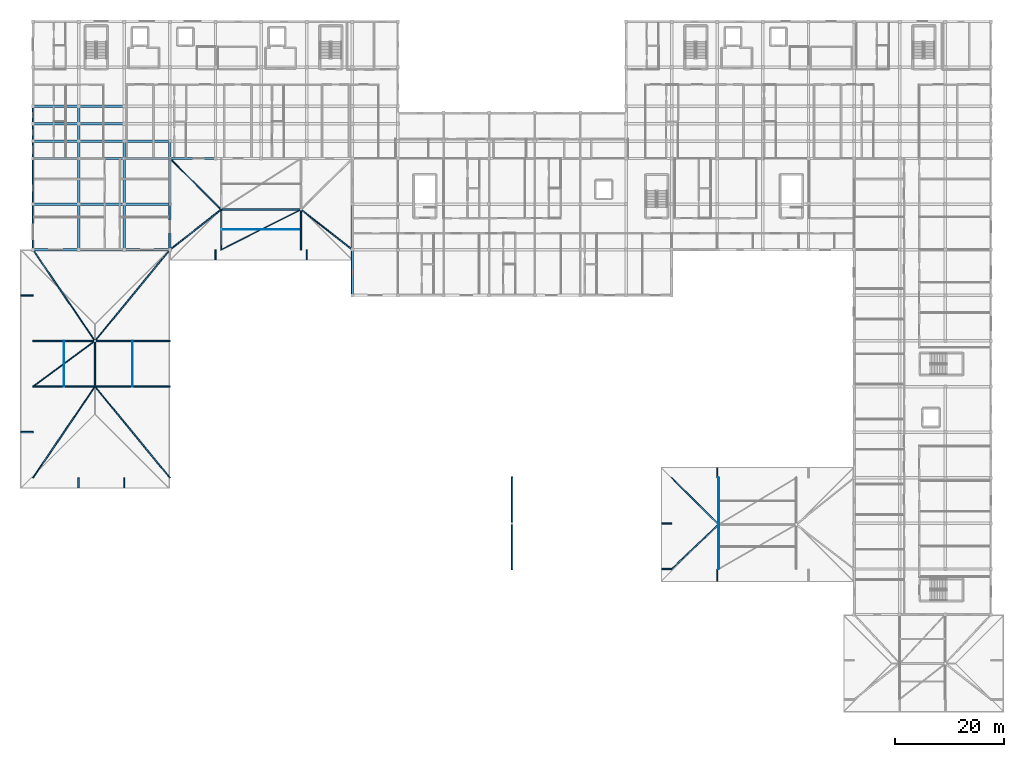
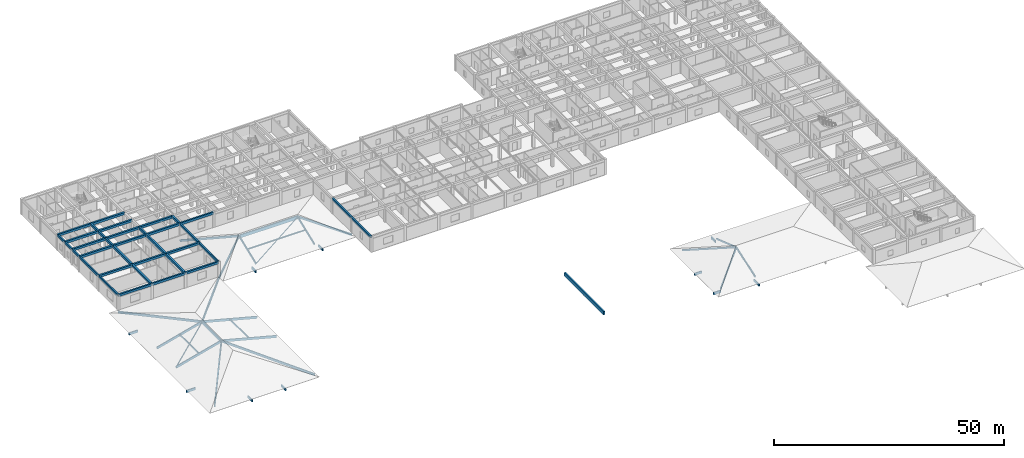
# One storey, part 6 of 42: 48 beams, 22 members.
"""IFC4 building model written with IfcOpenShell, lengths in metres."""

from ifc_helpers import new_model, si_unit, direction, frame, origin, origin_2d, place, context, subcontext, project, spatial, rectangle, hollow_circle, extrude, material, material_profile, profile_set, type_object, element, save


model = new_model("IFC4")

# Units and contexts
model_context = context("Model", 3, precision=1e-05, world=origin(), true_north=direction((0.0, 1.0)))
body_context = subcontext(model_context, "Body", "Model", "MODEL_VIEW")
ifc_project = project(units=[si_unit("LENGTHUNIT", "METRE"), si_unit("AREAUNIT", "SQUARE_METRE"), si_unit("VOLUMEUNIT", "CUBIC_METRE"), si_unit("PLANEANGLEUNIT", "RADIAN"), si_unit("MASSUNIT", "GRAM", prefix="KILO")], contexts=[model_context])

# Site, building, storey
site_placement = place(None, origin())
site = spatial("IfcSite", under=ifc_project, at=site_placement, CompositionType="ELEMENT")
building_placement = place(site_placement, origin())
building = spatial("IfcBuilding", under=site, at=building_placement, Name="Varncliffe General Hospital", CompositionType="ELEMENT")
storey_placement = place(building_placement, frame((0.0, 0.0, 20.39990234375)))
storey = spatial("IfcBuildingStorey", under=building, at=storey_placement, Name="L04", CompositionType="ELEMENT", Elevation=20.39990234375)

# Beams
ifc_material_1 = material(Name="Glulam GL28h (CSA O86 24f-EX, 30 MPa)", Category="wood")
ifc_material_profile_1 = material_profile(ifc_material_1, rectangle(XDim=0.35009765625, YDim=0.949951171875, at=origin_2d()), Name="GL 350x950")
ifc_profile_set_1 = profile_set([ifc_material_profile_1], Name="Glulam GL28h (CSA O86 24f-EX, 30 MPa)")
beam_type_1 = type_object("IfcBeamType", Name="Beam B12 (Int GL 350x950)", PredefinedType="BEAM", material=ifc_profile_set_1)
beam_1_placement = place(storey_placement, frame((88.199951171875, 23.840087890625, 4.039306640625), z_axis=(0.0, 1.0, 0.0), x_axis=(-1.0, 0.0, 0.0)))
element("IfcBeam", 1, at=beam_1_placement, inside=storey, type_object=beam_type_1, Name="L04 RF-V1-MAIN Glulam Ridge Girder", PredefinedType="BEAM", context=body_context, shape_type="SweptSolid", body=[
    extrude(rectangle(XDim=0.35009765625, YDim=0.949951171875, at=origin_2d()), origin(), (0.0, 0.0, 1.0), 17.119873046875),
])
ifc_material_2 = material(Name="Concrete C35/45 (CSA A23.1 35 MPa)", Category="concrete")
ifc_material_profile_2 = material_profile(ifc_material_2, rectangle(XDim=0.449951171875, YDim=0.60009765625, at=origin_2d()), Name="RC 450x600")
ifc_profile_set_2 = profile_set([ifc_material_profile_2], Name="Concrete C35/45 (CSA A23.1 35 MPa)")
beam_type_2 = type_object("IfcBeamType", Name="Beam B47 (Int RC 450x600)", PredefinedType="BEAM", material=ifc_profile_set_2)
beam_2_placement = place(storey_placement, frame((0.0, 91.199951171875, 3.900146484375), z_axis=(1.0, 0.0, 0.0), x_axis=(0.0, 1.0, 0.0)))
element("IfcBeam", 2, at=beam_2_placement, inside=storey, type_object=beam_type_2, Name="L04 Primary Beam B47-49", PredefinedType="BEAM", context=body_context, shape_type="SweptSolid", body=[
    extrude(rectangle(XDim=0.449951171875, YDim=0.60009765625, at=origin_2d()), origin(), (0.0, 0.0, 1.0), 8.39990234375),
])
beam_3_placement = place(storey_placement, frame((8.39990234375, 91.199951171875, 3.900146484375), z_axis=(1.0, 0.0, 0.0), x_axis=(0.0, 1.0, 0.0)))
element("IfcBeam", 3, at=beam_3_placement, inside=storey, type_object=beam_type_2, Name="L04 Primary Beam B47-50", PredefinedType="BEAM", context=body_context, shape_type="SweptSolid", body=[
    extrude(rectangle(XDim=0.449951171875, YDim=0.60009765625, at=origin_2d()), origin(), (0.0, 0.0, 1.0), 8.400146484375),
])
for number, where, z_axis, x_axis, name in (
    (4, (16.800048828125, 91.199951171875, 3.900146484375), (1.0, 0.0, 0.0), (0.0, 1.0, 0.0), "L04 Primary Beam B47-51"),
    (5, (0.0, 99.60009765625, 3.900146484375), (1.0, 0.0, 0.0), (0.0, 1.0, 0.0), "L04 Primary Beam B47-65"),
):
    element("IfcBeam", number, at=place(storey_placement, frame(where, z_axis=z_axis, x_axis=x_axis)), inside=storey, type_object=beam_type_2, Name=name, PredefinedType="BEAM", context=body_context, shape_type="SweptSolid", body=[
        extrude(rectangle(XDim=0.449951171875, YDim=0.60009765625, at=origin_2d()), origin(), (0.0, 0.0, 1.0), 8.39990234375),
    ])
beam_4_placement = place(storey_placement, frame((8.39990234375, 99.60009765625, 3.900146484375), z_axis=(1.0, 0.0, 0.0), x_axis=(0.0, 1.0, 0.0)))
element("IfcBeam", 6, at=beam_4_placement, inside=storey, type_object=beam_type_2, Name="L04 Primary Beam B47-66", PredefinedType="BEAM", context=body_context, shape_type="SweptSolid", body=[
    extrude(rectangle(XDim=0.449951171875, YDim=0.60009765625, at=origin_2d()), origin(), (0.0, 0.0, 1.0), 8.400146484375),
])
for number, where, z_axis, x_axis, name in (
    (7, (16.800048828125, 99.60009765625, 3.900146484375), (1.0, 0.0, 0.0), (0.0, 1.0, 0.0), "L04 Primary Beam B47-67"),
    (8, (0.0, 102.800048828125, 3.900146484375), (1.0, 0.0, 0.0), (0.0, 1.0, 0.0), "L04 Primary Beam B47-86"),
):
    element("IfcBeam", number, at=place(storey_placement, frame(where, z_axis=z_axis, x_axis=x_axis)), inside=storey, type_object=beam_type_2, Name=name, PredefinedType="BEAM", context=body_context, shape_type="SweptSolid", body=[
        extrude(rectangle(XDim=0.449951171875, YDim=0.60009765625, at=origin_2d()), origin(), (0.0, 0.0, 1.0), 8.39990234375),
    ])
beam_5_placement = place(storey_placement, frame((8.39990234375, 102.800048828125, 3.900146484375), z_axis=(1.0, 0.0, 0.0), x_axis=(0.0, 1.0, 0.0)))
element("IfcBeam", 9, at=beam_5_placement, inside=storey, type_object=beam_type_2, Name="L04 Primary Beam B47-87", PredefinedType="BEAM", context=body_context, shape_type="SweptSolid", body=[
    extrude(rectangle(XDim=0.449951171875, YDim=0.60009765625, at=origin_2d()), origin(), (0.0, 0.0, 1.0), 8.400146484375),
])
for number, where, z_axis, x_axis, name in (
    (10, (16.800048828125, 102.800048828125, 3.900146484375), (1.0, 0.0, 0.0), (0.0, 1.0, 0.0), "L04 Primary Beam B47-88"),
    (11, (0.0, 106.0, 3.900146484375), (1.0, 0.0, 0.0), (0.0, 1.0, 0.0), "L04 Primary Beam B47-107"),
):
    element("IfcBeam", number, at=place(storey_placement, frame(where, z_axis=z_axis, x_axis=x_axis)), inside=storey, type_object=beam_type_2, Name=name, PredefinedType="BEAM", context=body_context, shape_type="SweptSolid", body=[
        extrude(rectangle(XDim=0.449951171875, YDim=0.60009765625, at=origin_2d()), origin(), (0.0, 0.0, 1.0), 8.39990234375),
    ])
beam_6_placement = place(storey_placement, frame((8.39990234375, 106.0, 3.900146484375), z_axis=(1.0, 0.0, 0.0), x_axis=(0.0, 1.0, 0.0)))
element("IfcBeam", 12, at=beam_6_placement, inside=storey, type_object=beam_type_2, Name="L04 Primary Beam B47-108", PredefinedType="BEAM", context=body_context, shape_type="SweptSolid", body=[
    extrude(rectangle(XDim=0.449951171875, YDim=0.60009765625, at=origin_2d()), origin(), (0.0, 0.0, 1.0), 8.400146484375),
])
beam_7_placement = place(storey_placement, frame((0.0, 109.199951171875, 3.900146484375), z_axis=(1.0, 0.0, 0.0), x_axis=(0.0, 1.0, 0.0)))
element("IfcBeam", 13, at=beam_7_placement, inside=storey, type_object=beam_type_2, Name="L04 Primary Beam B47-126", PredefinedType="BEAM", context=body_context, shape_type="SweptSolid", body=[
    extrude(rectangle(XDim=0.449951171875, YDim=0.60009765625, at=origin_2d()), origin(), (0.0, 0.0, 1.0), 8.39990234375),
])
beam_8_placement = place(storey_placement, frame((8.39990234375, 109.199951171875, 3.900146484375), z_axis=(1.0, 0.0, 0.0), x_axis=(0.0, 1.0, 0.0)))
element("IfcBeam", 14, at=beam_8_placement, inside=storey, type_object=beam_type_2, Name="L04 Primary Beam B47-127", PredefinedType="BEAM", context=body_context, shape_type="SweptSolid", body=[
    extrude(rectangle(XDim=0.449951171875, YDim=0.60009765625, at=origin_2d()), origin(), (0.0, 0.0, 1.0), 8.400146484375),
])
beam_9_placement = place(storey_placement, frame((8.39990234375, 82.800048828125, 3.900146484375), z_axis=(0.0, 1.0, 0.0), x_axis=(-1.0, 0.0, 0.0)))
element("IfcBeam", 15, at=beam_9_placement, inside=storey, type_object=beam_type_2, Name="L04 Primary Beam B47-181", PredefinedType="BEAM", context=body_context, shape_type="SweptSolid", body=[
    extrude(rectangle(XDim=0.449951171875, YDim=0.60009765625, at=origin_2d()), origin(), (0.0, 0.0, 1.0), 8.39990234375),
])
beam_10_placement = place(storey_placement, frame((8.39990234375, 91.199951171875, 3.900146484375), z_axis=(0.0, 1.0, 0.0), x_axis=(-1.0, 0.0, 0.0)))
element("IfcBeam", 16, at=beam_10_placement, inside=storey, type_object=beam_type_2, Name="L04 Primary Beam B47-182", PredefinedType="BEAM", context=body_context, shape_type="SweptSolid", body=[
    extrude(rectangle(XDim=0.449951171875, YDim=0.60009765625, at=origin_2d()), origin(), (0.0, 0.0, 1.0), 8.400146484375),
])
for number, where, z_axis, x_axis, name in (
    (17, (8.39990234375, 99.60009765625, 3.900146484375), (0.0, 1.0, 0.0), (-1.0, 0.0, 0.0), "L04 Primary Beam B47-183"),
    (18, (8.39990234375, 102.800048828125, 3.900146484375), (0.0, 1.0, 0.0), (-1.0, 0.0, 0.0), "L04 Primary Beam B47-184"),
    (19, (8.39990234375, 106.0, 3.900146484375), (0.0, 1.0, 0.0), (-1.0, 0.0, 0.0), "L04 Primary Beam B47-185"),
):
    element("IfcBeam", number, at=place(storey_placement, frame(where, z_axis=z_axis, x_axis=x_axis)), inside=storey, type_object=beam_type_2, Name=name, PredefinedType="BEAM", context=body_context, shape_type="SweptSolid", body=[
        extrude(rectangle(XDim=0.449951171875, YDim=0.60009765625, at=origin_2d()), origin(), (0.0, 0.0, 1.0), 3.199951171875),
    ])
beam_11_placement = place(storey_placement, frame((16.800048828125, 82.800048828125, 3.900146484375), z_axis=(0.0, 1.0, 0.0), x_axis=(-1.0, 0.0, 0.0)))
element("IfcBeam", 20, at=beam_11_placement, inside=storey, type_object=beam_type_2, Name="L04 Primary Beam B47-188", PredefinedType="BEAM", context=body_context, shape_type="SweptSolid", body=[
    extrude(rectangle(XDim=0.449951171875, YDim=0.60009765625, at=origin_2d()), origin(), (0.0, 0.0, 1.0), 8.39990234375),
])
beam_12_placement = place(storey_placement, frame((16.800048828125, 91.199951171875, 3.900146484375), z_axis=(0.0, 1.0, 0.0), x_axis=(-1.0, 0.0, 0.0)))
element("IfcBeam", 21, at=beam_12_placement, inside=storey, type_object=beam_type_2, Name="L04 Primary Beam B47-189", PredefinedType="BEAM", context=body_context, shape_type="SweptSolid", body=[
    extrude(rectangle(XDim=0.449951171875, YDim=0.60009765625, at=origin_2d()), origin(), (0.0, 0.0, 1.0), 8.400146484375),
])
for number, where, z_axis, x_axis, name in (
    (22, (16.800048828125, 99.60009765625, 3.900146484375), (0.0, 1.0, 0.0), (-1.0, 0.0, 0.0), "L04 Primary Beam B47-190"),
    (23, (25.199951171875, 99.60009765625, 3.900146484375), (0.0, 1.0, 0.0), (-1.0, 0.0, 0.0), "L04 Primary Beam B47-197"),
):
    element("IfcBeam", number, at=place(storey_placement, frame(where, z_axis=z_axis, x_axis=x_axis)), inside=storey, type_object=beam_type_2, Name=name, PredefinedType="BEAM", context=body_context, shape_type="SweptSolid", body=[
        extrude(rectangle(XDim=0.449951171875, YDim=0.60009765625, at=origin_2d()), origin(), (0.0, 0.0, 1.0), 3.199951171875),
    ])
ifc_material_profile_3 = material_profile(ifc_material_1, rectangle(XDim=0.264892578125, YDim=0.68408203125, at=origin_2d()), Name="GL 265x684")
ifc_profile_set_3 = profile_set([ifc_material_profile_3], Name="Glulam GL28h (CSA O86 24f-EX, 30 MPa)")
beam_type_3 = type_object("IfcBeamType", Name="Beam B72 (Int GL 265x684)", PredefinedType="BEAM", material=ifc_profile_set_3)
beam_13_placement = place(storey_placement, frame((11.39990234375, 57.43994140625, 3.02099609375), z_axis=(0.0, 1.0, 0.0), x_axis=(-1.0, 0.0, 0.0)))
element("IfcBeam", 24, at=beam_13_placement, inside=storey, type_object=beam_type_3, Name="L04 RF-V3-W Glulam Ridge Girder", PredefinedType="BEAM", context=body_context, shape_type="SweptSolid", body=[
    extrude(rectangle(XDim=0.264892578125, YDim=0.68408203125, at=origin_2d()), origin(), (0.0, 0.0, 1.0), 8.719970703125),
])
ifc_material_profile_4 = material_profile(ifc_material_1, rectangle(XDim=0.31494140625, YDim=0.8359375, at=origin_2d()), Name="GL 315x836")
ifc_profile_set_4 = profile_set([ifc_material_profile_4], Name="Glulam GL28h (CSA O86 24f-EX, 30 MPa)")
beam_type_4 = type_object("IfcBeamType", Name="Beam B74 (Int GL 315x836)", PredefinedType="BEAM", material=ifc_profile_set_4)
beam_14_placement = place(storey_placement, frame((34.489990234375, 90.199951171875, 2.903076171875), z_axis=(1.0, 0.0, 0.0), x_axis=(0.0, 1.0, 0.0)))
element("IfcBeam", 25, at=beam_14_placement, inside=storey, type_object=beam_type_4, Name="L04 RF-V3-N Glulam Ridge Girder", PredefinedType="BEAM", context=body_context, shape_type="SweptSolid", body=[
    extrude(rectangle(XDim=0.31494140625, YDim=0.8359375, at=origin_2d()), origin(), (0.0, 0.0, 1.0), 15.02001953125),
])
ifc_material_profile_5 = material_profile(ifc_material_1, rectangle(XDim=0.264892578125, YDim=0.60791015625, at=origin_2d()), Name="GL 265x608")
ifc_profile_set_5 = profile_set([ifc_material_profile_5], Name="Glulam GL28h (CSA O86 24f-EX, 30 MPa)")
beam_type_5 = type_object("IfcBeamType", Name="Beam B82 (Ext GL 265x608)", PredefinedType="BEAM", material=ifc_profile_set_5)
for number, where, z_axis, x_axis, name in (
    (26, (-2.260009765625, 49.199951171875, -0.49072265625), (1.0, 0.0, 0.0), (0.0, 1.0, 0.0), "L04 RF-V3-W West Eave Lookout Bracket 1"),
    (27, (-2.260009765625, 74.39990234375, -0.49072265625), (1.0, 0.0, 0.0), (0.0, 1.0, 0.0), "L04 RF-V3-W West Eave Lookout Bracket 2"),
):
    element("IfcBeam", number, at=place(storey_placement, frame(where, z_axis=z_axis, x_axis=x_axis)), inside=storey, type_object=beam_type_5, Name=name, PredefinedType="BEAM", context=body_context, shape_type="SweptSolid", body=[
        extrude(rectangle(XDim=0.264892578125, YDim=0.60791015625, at=origin_2d()), origin(), (0.0, 0.0, 1.0), 2.260009765625),
    ])
for number, where, z_axis, x_axis, name in (
    (28, (8.39990234375, 38.93994140625, -0.49072265625), (0.0, 1.0, 0.0), (-1.0, 0.0, 0.0), "L04 RF-V3-W South Eave Lookout Bracket 1"),
    (29, (16.800048828125, 38.93994140625, -0.49072265625), (0.0, 1.0, 0.0), (-1.0, 0.0, 0.0), "L04 RF-V3-W South Eave Lookout Bracket 2"),
    (30, (33.60009765625, 80.93994140625, -0.51953125), (0.0, 1.0, 0.0), (-1.0, 0.0, 0.0), "L04 RF-V3-N South Eave Lookout Bracket 1"),
    (31, (50.39990234375, 80.93994140625, -0.51953125), (0.0, 1.0, 0.0), (-1.0, 0.0, 0.0), "L04 RF-V3-N South Eave Lookout Bracket 2"),
):
    element("IfcBeam", number, at=place(storey_placement, frame(where, z_axis=z_axis, x_axis=x_axis)), inside=storey, type_object=beam_type_5, Name=name, PredefinedType="BEAM", context=body_context, shape_type="SweptSolid", body=[
        extrude(rectangle(XDim=0.264892578125, YDim=0.60791015625, at=origin_2d()), origin(), (0.0, 0.0, 1.0), 1.860107421875),
    ])
beam_15_placement = place(storey_placement, frame((126.0, 21.739990234375, -0.4951171875), z_axis=(0.0, 1.0, 0.0), x_axis=(-1.0, 0.0, 0.0)))
element("IfcBeam", 32, at=beam_15_placement, inside=storey, type_object=beam_type_5, Name="L04 RF-V5-S South Eave Lookout Bracket 1", PredefinedType="BEAM", context=body_context, shape_type="SweptSolid", body=[
    extrude(rectangle(XDim=0.264892578125, YDim=0.60791015625, at=origin_2d()), origin(), (0.0, 0.0, 1.0), 2.260009765625),
])
beam_16_placement = place(storey_placement, frame((126.0, 40.800048828125, -0.4951171875), z_axis=(0.0, 1.0, 0.0), x_axis=(-1.0, 0.0, 0.0)))
element("IfcBeam", 33, at=beam_16_placement, inside=storey, type_object=beam_type_5, Name="L04 RF-V5-S North Eave Lookout Bracket 1", PredefinedType="BEAM", context=body_context, shape_type="SweptSolid", body=[
    extrude(rectangle(XDim=0.264892578125, YDim=0.60791015625, at=origin_2d()), origin(), (0.0, 0.0, 1.0), 1.85986328125),
])
for number, where, z_axis, x_axis, name in (
    (34, (115.739990234375, 32.39990234375, -0.4951171875), (1.0, 0.0, 0.0), (0.0, 1.0, 0.0), "L04 RF-V5-S West Eave Lookout Bracket 1"),
    (35, (115.739990234375, 24.0, -0.4951171875), (1.0, 0.0, 0.0), (0.0, 1.0, 0.0), "L04 RF-V5-S West Eave Lookout Bracket 2"),
):
    element("IfcBeam", number, at=place(storey_placement, frame(where, z_axis=z_axis, x_axis=x_axis)), inside=storey, type_object=beam_type_5, Name=name, PredefinedType="BEAM", context=body_context, shape_type="SweptSolid", body=[
        extrude(rectangle(XDim=0.264892578125, YDim=0.60791015625, at=origin_2d()), origin(), (0.0, 0.0, 1.0), 1.860107421875),
    ])

# Members
ifc_material_3 = material(Name="Steel S355 (CSA G40.21 350W)", Category="steel")
ifc_material_profile_6 = material_profile(ifc_material_3, hollow_circle(Radius=0.109619140625, WallThickness=0.00830078125, at=origin_2d()), Name="CHS 219x8.2")
ifc_profile_set_6 = profile_set([ifc_material_profile_6], Name="Steel S355 (CSA G40.21 350W)")
member_type_1 = type_object("IfcMemberType", Name="Member MB17 (BRACE Int CHS 219x8.2)", PredefinedType="BRACE", material=ifc_profile_set_6)
member_1_placement = place(storey_placement, frame((34.64990234375, 82.800048828125, 0.19384765625), z_axis=(0.881351314983, 0.443661701275, 0.162431999309), x_axis=(-0.449632943603, 0.89321342132, 0.0)))
element("IfcMember", 36, at=member_1_placement, inside=storey, type_object=member_type_1, Name="L04 RF-V3-N Lateral Wind Brace 1", PredefinedType="BRACE", context=body_context, shape_type="SweptSolid", body=[
    extrude(hollow_circle(Radius=0.109619140625, WallThickness=0.00830078125, at=origin_2d()), origin(), (0.0, 0.0, 1.0), 16.67919921875),
])
ifc_material_profile_7 = material_profile(ifc_material_1, rectangle(XDim=0.215087890625, YDim=0.60791015625, at=origin_2d()), Name="GL 215x608")
ifc_profile_set_7 = profile_set([ifc_material_profile_7], Name="Glulam GL28h (CSA O86 24f-EX, 30 MPa)")
member_type_2 = type_object("IfcMemberType", Name="Member MB20 (RAFTER Int GL 215x608)", PredefinedType="RAFTER", material=ifc_profile_set_7)
member_2_placement = place(storey_placement, frame((0.0, 40.800048828125, -0.031982421875), z_axis=(0.555026087219, 0.817936316902, 0.151414081245), x_axis=(-0.827476774569, 0.561499944389, 0.0)))
element("IfcMember", 37, at=member_2_placement, inside=storey, type_object=member_type_2, Name="L04 RF-V3-W Hip Rafter SW", PredefinedType="RAFTER", context=body_context, shape_type="SweptSolid", body=[
    extrude(rectangle(XDim=0.215087890625, YDim=0.60791015625, at=origin_2d()), origin(), (0.0, 0.0, 1.0), 20.48876953125),
])
member_3_placement = place(storey_placement, frame((25.199951171875, 40.800048828125, -0.559814453125), z_axis=(-0.626045345055, 0.762133471396, 0.164984234741), x_axis=(-0.772722705616, -0.634743743747, 0.0)))
element("IfcMember", 38, at=member_3_placement, inside=storey, type_object=member_type_2, Name="L04 RF-V3-W Hip Rafter SE", PredefinedType="RAFTER", context=body_context, shape_type="SweptSolid", body=[
    extrude(rectangle(XDim=0.215087890625, YDim=0.60791015625, at=origin_2d()), origin(), (0.0, 0.0, 1.0), 21.992431640625),
])
member_4_placement = place(storey_placement, frame((0.0, 82.800048828125, -0.560546875), z_axis=(0.552694028421, -0.814499585498, 0.176407868793), x_axis=(0.827476774569, 0.561499944389, 0.0)))
element("IfcMember", 39, at=member_4_placement, inside=storey, type_object=member_type_2, Name="L04 RF-V3-W Hip Rafter NW", PredefinedType="RAFTER", context=body_context, shape_type="SweptSolid", body=[
    extrude(rectangle(XDim=0.215087890625, YDim=0.60791015625, at=origin_2d()), origin(), (0.0, 0.0, 1.0), 20.5751953125),
])
member_5_placement = place(storey_placement, frame((25.199951171875, 82.800048828125, -0.559814453125), z_axis=(-0.626040048424, -0.762138124383, 0.164982838899), x_axis=(0.772727240321, -0.634738223259, 0.0)))
element("IfcMember", 40, at=member_5_placement, inside=storey, type_object=member_type_2, Name="L04 RF-V3-W Hip Rafter NE", PredefinedType="RAFTER", context=body_context, shape_type="SweptSolid", body=[
    extrude(rectangle(XDim=0.215087890625, YDim=0.60791015625, at=origin_2d()), origin(), (0.0, 0.0, 1.0), 21.99267578125),
])
member_6_placement = place(storey_placement, frame((0.0, 57.60009765625, 0.06640625), z_axis=(0.966979278104, 0.0, 0.254855009205), x_axis=(0.0, 1.0, 0.0)))
element("IfcMember", 41, at=member_6_placement, inside=storey, type_object=member_type_2, Name="L04 RF-V3-W West Sloped Glulam Rafter 1", PredefinedType="RAFTER", context=body_context, shape_type="SweptSolid", body=[
    extrude(rectangle(XDim=0.215087890625, YDim=0.60791015625, at=origin_2d()), origin(), (0.0, 0.0, 1.0), 11.727294921875),
])
member_7_placement = place(storey_placement, frame((25.199951171875, 57.60009765625, -0.56591796875), z_axis=(-0.966982555241, 0.0, 0.254842574661), x_axis=(0.0, -1.0, 0.0)))
element("IfcMember", 42, at=member_7_placement, inside=storey, type_object=member_type_2, Name="L04 RF-V3-W East Sloped Glulam Rafter 1", PredefinedType="RAFTER", context=body_context, shape_type="SweptSolid", body=[
    extrude(rectangle(XDim=0.215087890625, YDim=0.60791015625, at=origin_2d()), origin(), (0.0, 0.0, 1.0), 14.209228515625),
])
member_8_placement = place(storey_placement, frame((0.0, 66.0, 0.06640625), z_axis=(0.966979278104, 0.0, 0.254855009205), x_axis=(0.0, 1.0, 0.0)))
element("IfcMember", 43, at=member_8_placement, inside=storey, type_object=member_type_2, Name="L04 RF-V3-W West Sloped Glulam Rafter 2", PredefinedType="RAFTER", context=body_context, shape_type="SweptSolid", body=[
    extrude(rectangle(XDim=0.215087890625, YDim=0.60791015625, at=origin_2d()), origin(), (0.0, 0.0, 1.0), 11.727294921875),
])
member_9_placement = place(storey_placement, frame((25.199951171875, 66.0, -0.56591796875), z_axis=(-0.966982555241, 0.0, 0.254842574661), x_axis=(0.0, -1.0, 0.0)))
element("IfcMember", 44, at=member_9_placement, inside=storey, type_object=member_type_2, Name="L04 RF-V3-W East Sloped Glulam Rafter 2", PredefinedType="RAFTER", context=body_context, shape_type="SweptSolid", body=[
    extrude(rectangle(XDim=0.215087890625, YDim=0.60791015625, at=origin_2d()), origin(), (0.0, 0.0, 1.0), 14.209228515625),
])
ifc_material_profile_8 = material_profile(ifc_material_1, rectangle(XDim=0.1298828125, YDim=0.342041015625, at=origin_2d()), Name="GL 130x342")
ifc_profile_set_8 = profile_set([ifc_material_profile_8], Name="Glulam GL28h (CSA O86 24f-EX, 30 MPa)")
member_type_3 = type_object("IfcMemberType", Name="Member MB31 (PURLIN Int GL 130x342)", PredefinedType="PURLIN", material=ifc_profile_set_8)
for number, where, z_axis, x_axis, name in (
    (45, (5.699951171875, 57.60009765625, 1.715087890625), (0.0, 1.0, 0.0), (-1.0, 0.0, 0.0), "L04 RF-V3-W Timber Purlin W1"),
    (46, (18.300048828125, 57.60009765625, 1.398681640625), (0.0, 1.0, 0.0), (-1.0, 0.0, 0.0), "L04 RF-V3-W Timber Purlin E1"),
):
    element("IfcMember", number, at=place(storey_placement, frame(where, z_axis=z_axis, x_axis=x_axis)), inside=storey, type_object=member_type_3, Name=name, PredefinedType="PURLIN", context=body_context, shape_type="SweptSolid", body=[
        extrude(rectangle(XDim=0.1298828125, YDim=0.342041015625, at=origin_2d()), origin(), (0.0, 0.0, 1.0), 8.39990234375),
    ])
ifc_material_profile_9 = material_profile(ifc_material_1, rectangle(XDim=0.1298828125, YDim=0.303955078125, at=origin_2d()), Name="GL 130x304")
ifc_profile_set_9 = profile_set([ifc_material_profile_9], Name="Glulam GL28h (CSA O86 24f-EX, 30 MPa)")
member_type_4 = type_object("IfcMemberType", Name="Member MB40 (PURLIN Int GL 130x304)", PredefinedType="PURLIN", material=ifc_profile_set_9)
member_10_placement = place(storey_placement, frame((34.64990234375, 86.5, 1.7685546875), z_axis=(1.0, 0.0, 0.0), x_axis=(0.0, 1.0, 0.0)))
element("IfcMember", 47, at=member_10_placement, inside=storey, type_object=member_type_4, Name="L04 RF-V3-N Timber Purlin S1", PredefinedType="PURLIN", context=body_context, shape_type="SweptSolid", body=[
    extrude(rectangle(XDim=0.1298828125, YDim=0.303955078125, at=origin_2d()), origin(), (0.0, 0.0, 1.0), 14.7001953125),
])
ifc_material_profile_10 = material_profile(ifc_material_3, hollow_circle(Radius=0.136474609375, WallThickness=0.00927734375, at=origin_2d()), Name="CHS 273x9.3")
ifc_profile_set_10 = profile_set([ifc_material_profile_10], Name="Steel S355 (CSA G40.21 350W)")
member_type_5 = type_object("IfcMemberType", Name="Member MB42 (BRACE Int CHS 273x9.3)", PredefinedType="BRACE", material=ifc_profile_set_10)
member_11_placement = place(storey_placement, frame((0.0, 57.60009765625, 0.06640625), z_axis=(0.788084570471, 0.580692117438, 0.204253211801), x_axis=(-0.593197861815, 0.805056704051, 0.0)))
element("IfcMember", 48, at=member_11_placement, inside=storey, type_object=member_type_5, Name="L04 RF-V3-W Lateral Wind Brace 1", PredefinedType="BRACE", context=body_context, shape_type="SweptSolid", body=[
    extrude(hollow_circle(Radius=0.136474609375, WallThickness=0.00927734375, at=origin_2d()), origin(), (0.0, 0.0, 1.0), 14.46533203125),
])
ifc_material_profile_11 = material_profile(ifc_material_1, rectangle(XDim=0.215087890625, YDim=0.531982421875, at=origin_2d()), Name="GL 215x532")
ifc_profile_set_11 = profile_set([ifc_material_profile_11], Name="Glulam GL28h (CSA O86 24f-EX, 30 MPa)")
member_type_6 = type_object("IfcMemberType", Name="Member MB62 (RAFTER Int GL 215x532)", PredefinedType="RAFTER", material=ifc_profile_set_11)
member_12_placement = place(storey_placement, frame((25.199951171875, 82.800048828125, -0.576416015625), z_axis=(0.753138265355, 0.589755756796, 0.291497685384), x_axis=(-0.616530741207, 0.787330835892, 0.0)))
element("IfcMember", 49, at=member_12_placement, inside=storey, type_object=member_type_6, Name="L04 RF-V3-N Hip Rafter SW", PredefinedType="RAFTER", context=body_context, shape_type="SweptSolid", body=[
    extrude(rectangle(XDim=0.215087890625, YDim=0.531982421875, at=origin_2d()), origin(), (0.0, 0.0, 1.0), 12.495361328125),
])
member_13_placement = place(storey_placement, frame((25.199951171875, 99.60009765625, -0.57421875), z_axis=(0.68374793567, -0.680130784618, 0.264406649466), x_axis=(0.705228978822, 0.708979610024, 0.0)))
element("IfcMember", 50, at=member_13_placement, inside=storey, type_object=member_type_6, Name="L04 RF-V3-N Hip Rafter NW", PredefinedType="RAFTER", context=body_context, shape_type="SweptSolid", body=[
    extrude(rectangle(XDim=0.215087890625, YDim=0.531982421875, at=origin_2d()), origin(), (0.0, 0.0, 1.0), 13.76904296875),
])
member_14_placement = place(storey_placement, frame((58.800048828125, 82.800048828125, -0.576416015625), z_axis=(-0.753138265355, 0.589755756796, 0.291497685384), x_axis=(-0.616530741207, -0.787330835892, 0.0)))
element("IfcMember", 51, at=member_14_placement, inside=storey, type_object=member_type_6, Name="L04 RF-V3-N Hip Rafter SE", PredefinedType="RAFTER", context=body_context, shape_type="SweptSolid", body=[
    extrude(rectangle(XDim=0.215087890625, YDim=0.531982421875, at=origin_2d()), origin(), (0.0, 0.0, 1.0), 12.495361328125),
])
for number, where, z_axis, x_axis, name in (
    (52, (34.64990234375, 82.800048828125, 0.19384765625), (0.0, 0.93204190218, 0.362350510667), (-1.0, 0.0, 0.0), "L04 RF-V3-N South Sloped Glulam Rafter 1"),
    (53, (49.35009765625, 82.800048828125, 0.19384765625), (0.0, 0.93204190218, 0.362350510667), (-1.0, 0.0, 0.0), "L04 RF-V3-N South Sloped Glulam Rafter 2"),
):
    element("IfcMember", number, at=place(storey_placement, frame(where, z_axis=z_axis, x_axis=x_axis)), inside=storey, type_object=member_type_6, Name=name, PredefinedType="RAFTER", context=body_context, shape_type="SweptSolid", body=[
        extrude(rectangle(XDim=0.215087890625, YDim=0.531982421875, at=origin_2d()), origin(), (0.0, 0.0, 1.0), 7.875),
    ])
ifc_material_profile_12 = material_profile(ifc_material_1, rectangle(XDim=0.175048828125, YDim=0.41796875, at=origin_2d()), Name="GL 175x418")
ifc_profile_set_12 = profile_set([ifc_material_profile_12], Name="Glulam GL28h (CSA O86 24f-EX, 30 MPa)")
member_type_7 = type_object("IfcMemberType", Name="Member MB73 (RAFTER Int GL 175x418)", PredefinedType="RAFTER", material=ifc_profile_set_12)
member_15_placement = place(storey_placement, frame((117.60009765625, 24.0, 0.205322265625), z_axis=(0.704326705051, 0.667693970611, 0.241057366953), x_axis=(-0.687981961147, 0.725727787216, 0.0)))
element("IfcMember", 54, at=member_15_placement, inside=storey, type_object=member_type_7, Name="L04 RF-V5-S Hip Rafter SW", PredefinedType="RAFTER", context=body_context, shape_type="SweptSolid", body=[
    extrude(rectangle(XDim=0.175048828125, YDim=0.41796875, at=origin_2d()), origin(), (0.0, 0.0, 1.0), 12.2294921875),
])
member_16_placement = place(storey_placement, frame((117.60009765625, 40.800048828125, 0.205810546875), z_axis=(0.689156854986, -0.685172499072, 0.2357996517), x_axis=(0.705053825567, 0.709153793653, 0.0)))
element("IfcMember", 55, at=member_16_placement, inside=storey, type_object=member_type_7, Name="L04 RF-V5-S Hip Rafter NW", PredefinedType="RAFTER", context=body_context, shape_type="SweptSolid", body=[
    extrude(rectangle(XDim=0.175048828125, YDim=0.41796875, at=origin_2d()), origin(), (0.0, 0.0, 1.0), 12.5),
])
member_17_placement = place(storey_placement, frame((126.25, 24.0, 0.33740234375), z_axis=(0.0, 0.945564198691, 0.325435625206), x_axis=(-1.0, 0.0, 0.0)))
element("IfcMember", 56, at=member_17_placement, inside=storey, type_object=member_type_7, Name="L04 RF-V5-S South Sloped Glulam Rafter 1", PredefinedType="RAFTER", context=body_context, shape_type="SweptSolid", body=[
    extrude(rectangle(XDim=0.175048828125, YDim=0.41796875, at=origin_2d()), origin(), (0.0, 0.0, 1.0), 8.6083984375),
])
member_18_placement = place(storey_placement, frame((126.25, 40.800048828125, 0.19970703125), z_axis=(0.0, -0.945564997299, 0.325433304816), x_axis=(1.0, 0.0, 0.0)))
element("IfcMember", 57, at=member_18_placement, inside=storey, type_object=member_type_7, Name="L04 RF-V5-S North Sloped Glulam Rafter 1", PredefinedType="RAFTER", context=body_context, shape_type="SweptSolid", body=[
    extrude(rectangle(XDim=0.175048828125, YDim=0.41796875, at=origin_2d()), origin(), (0.0, 0.0, 1.0), 9.03173828125),
])

# Beams
ifc_material_profile_13 = material_profile(ifc_material_2, rectangle(XDim=0.35009765625, YDim=0.550048828125, at=origin_2d()), Name="RC 350x550")
ifc_profile_set_13 = profile_set([ifc_material_profile_13], Name="Concrete C35/45 (CSA A23.1 35 MPa)")
beam_type_6 = type_object("IfcBeamType", Name="Spandrel SP20 (Ext RC 350x550)", PredefinedType="SPANDREL", material=ifc_profile_set_13)
beam_17_placement = place(storey_placement, frame((0.0, 82.800048828125, 3.925048828125), z_axis=(0.0, 1.0, 0.0), x_axis=(-1.0, 0.0, 0.0)))
element("IfcBeam", 58, at=beam_17_placement, inside=storey, type_object=beam_type_6, Name="L04 Spandrel Beam SP20-174", PredefinedType="SPANDREL", context=body_context, shape_type="SweptSolid", body=[
    extrude(rectangle(XDim=0.35009765625, YDim=0.550048828125, at=origin_2d()), origin(), (0.0, 0.0, 1.0), 8.39990234375),
])
beam_18_placement = place(storey_placement, frame((0.0, 91.199951171875, 3.925048828125), z_axis=(0.0, 1.0, 0.0), x_axis=(-1.0, 0.0, 0.0)))
element("IfcBeam", 59, at=beam_18_placement, inside=storey, type_object=beam_type_6, Name="L04 Spandrel Beam SP20-175", PredefinedType="SPANDREL", context=body_context, shape_type="SweptSolid", body=[
    extrude(rectangle(XDim=0.35009765625, YDim=0.550048828125, at=origin_2d()), origin(), (0.0, 0.0, 1.0), 8.400146484375),
])
for number, where, z_axis, x_axis, name in (
    (60, (0.0, 99.60009765625, 3.925048828125), (0.0, 1.0, 0.0), (-1.0, 0.0, 0.0), "L04 Spandrel Beam SP20-176"),
    (61, (0.0, 102.800048828125, 3.925048828125), (0.0, 1.0, 0.0), (-1.0, 0.0, 0.0), "L04 Spandrel Beam SP20-177"),
    (62, (0.0, 106.0, 3.925048828125), (0.0, 1.0, 0.0), (-1.0, 0.0, 0.0), "L04 Spandrel Beam SP20-178"),
):
    element("IfcBeam", number, at=place(storey_placement, frame(where, z_axis=z_axis, x_axis=x_axis)), inside=storey, type_object=beam_type_6, Name=name, PredefinedType="SPANDREL", context=body_context, shape_type="SweptSolid", body=[
        extrude(rectangle(XDim=0.35009765625, YDim=0.550048828125, at=origin_2d()), origin(), (0.0, 0.0, 1.0), 3.199951171875),
    ])
beam_19_placement = place(storey_placement, frame((25.199951171875, 82.800048828125, 3.925048828125), z_axis=(0.0, 1.0, 0.0), x_axis=(-1.0, 0.0, 0.0)))
element("IfcBeam", 63, at=beam_19_placement, inside=storey, type_object=beam_type_6, Name="L04 Spandrel Beam SP20-195", PredefinedType="SPANDREL", context=body_context, shape_type="SweptSolid", body=[
    extrude(rectangle(XDim=0.35009765625, YDim=0.550048828125, at=origin_2d()), origin(), (0.0, 0.0, 1.0), 8.39990234375),
])
for number, where, z_axis, x_axis, name in (
    (64, (25.199951171875, 91.199951171875, 3.925048828125), (0.0, 1.0, 0.0), (-1.0, 0.0, 0.0), "L04 Spandrel Beam SP20-196"),
    (65, (58.800048828125, 74.39990234375, 3.925048828125), (0.0, 1.0, 0.0), (-1.0, 0.0, 0.0), "L04 Spandrel Beam SP20-217"),
):
    element("IfcBeam", number, at=place(storey_placement, frame(where, z_axis=z_axis, x_axis=x_axis)), inside=storey, type_object=beam_type_6, Name=name, PredefinedType="SPANDREL", context=body_context, shape_type="SweptSolid", body=[
        extrude(rectangle(XDim=0.35009765625, YDim=0.550048828125, at=origin_2d()), origin(), (0.0, 0.0, 1.0), 8.400146484375),
    ])
beam_20_placement = place(storey_placement, frame((58.800048828125, 82.800048828125, 3.925048828125), z_axis=(0.0, 1.0, 0.0), x_axis=(-1.0, 0.0, 0.0)))
element("IfcBeam", 66, at=beam_20_placement, inside=storey, type_object=beam_type_6, Name="L04 Spandrel Beam SP20-218", PredefinedType="SPANDREL", context=body_context, shape_type="SweptSolid", body=[
    extrude(rectangle(XDim=0.35009765625, YDim=0.550048828125, at=origin_2d()), origin(), (0.0, 0.0, 1.0), 8.39990234375),
])
ifc_material_profile_14 = material_profile(ifc_material_2, rectangle(XDim=0.39990234375, YDim=0.60009765625, at=origin_2d()), Name="RC 400x600")
ifc_profile_set_14 = profile_set([ifc_material_profile_14], Name="Concrete C35/45 (CSA A23.1 35 MPa)")
beam_type_7 = type_object("IfcBeamType", Name="Spandrel SP58 (Ext RC 400x600B)", PredefinedType="SPANDREL", material=ifc_profile_set_14)
beam_21_placement = place(storey_placement, frame((0.0, 82.800048828125, 3.900146484375), z_axis=(1.0, 0.0, 0.0), x_axis=(0.0, 1.0, 0.0)))
element("IfcBeam", 67, at=beam_21_placement, inside=storey, type_object=beam_type_7, Name="L04 Spandrel Beam SP58-32", PredefinedType="SPANDREL", context=body_context, shape_type="SweptSolid", body=[
    extrude(rectangle(XDim=0.39990234375, YDim=0.60009765625, at=origin_2d()), origin(), (0.0, 0.0, 1.0), 8.39990234375),
])
beam_22_placement = place(storey_placement, frame((8.39990234375, 82.800048828125, 3.900146484375), z_axis=(1.0, 0.0, 0.0), x_axis=(0.0, 1.0, 0.0)))
element("IfcBeam", 68, at=beam_22_placement, inside=storey, type_object=beam_type_7, Name="L04 Spandrel Beam SP58-33", PredefinedType="SPANDREL", context=body_context, shape_type="SweptSolid", body=[
    extrude(rectangle(XDim=0.39990234375, YDim=0.60009765625, at=origin_2d()), origin(), (0.0, 0.0, 1.0), 8.400146484375),
])
beam_23_placement = place(storey_placement, frame((16.800048828125, 82.800048828125, 3.900146484375), z_axis=(1.0, 0.0, 0.0), x_axis=(0.0, 1.0, 0.0)))
element("IfcBeam", 69, at=beam_23_placement, inside=storey, type_object=beam_type_7, Name="L04 Spandrel Beam SP58-34", PredefinedType="SPANDREL", context=body_context, shape_type="SweptSolid", body=[
    extrude(rectangle(XDim=0.39990234375, YDim=0.60009765625, at=origin_2d()), origin(), (0.0, 0.0, 1.0), 8.39990234375),
])
beam_24_placement = place(storey_placement, frame((25.199951171875, 99.60009765625, 3.900146484375), z_axis=(1.0, 0.0, 0.0), x_axis=(0.0, 1.0, 0.0)))
element("IfcBeam", 70, at=beam_24_placement, inside=storey, type_object=beam_type_7, Name="L04 Spandrel Beam SP58-68", PredefinedType="SPANDREL", context=body_context, shape_type="SweptSolid", body=[
    extrude(rectangle(XDim=0.39990234375, YDim=0.60009765625, at=origin_2d()), origin(), (0.0, 0.0, 1.0), 8.400146484375),
])

save(model, "model.ifc")
